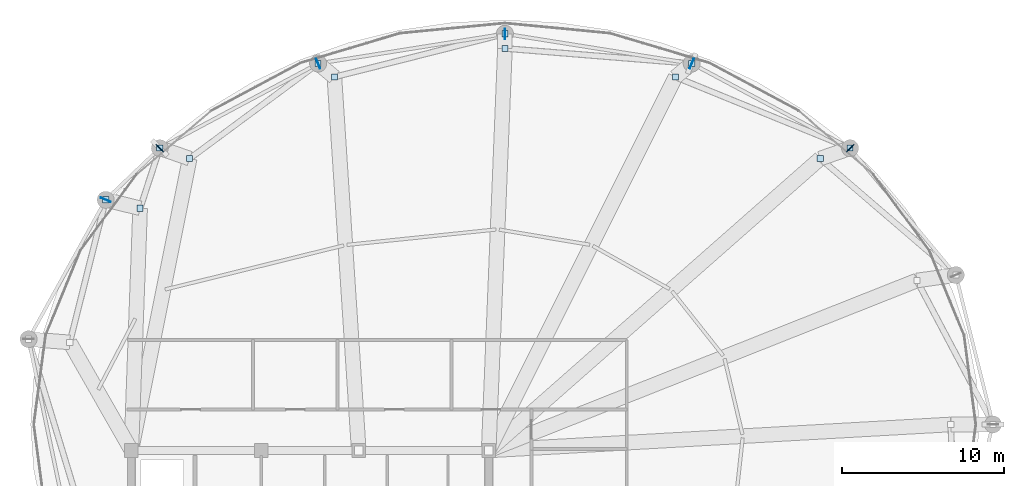
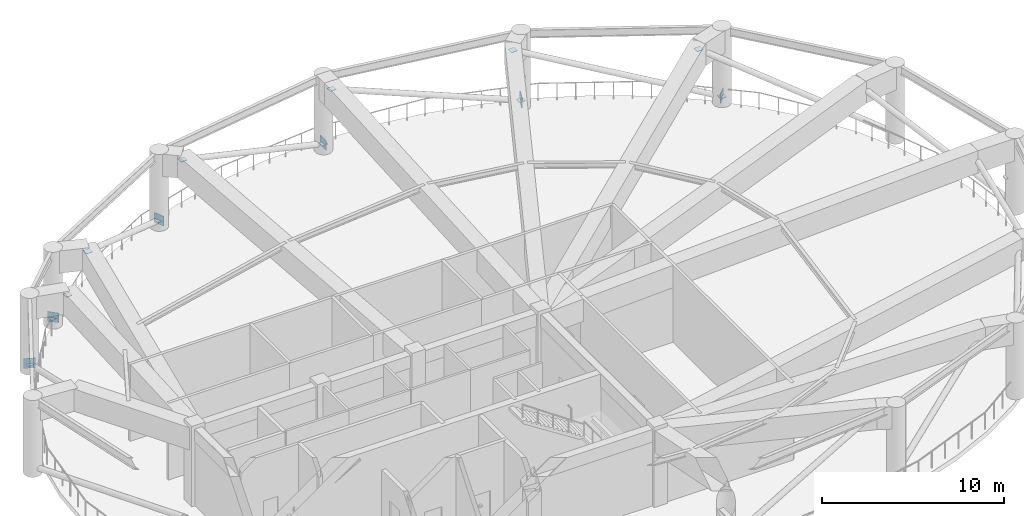
# One storey, part 5 of 9: 18 plates.
"""IFC4 building model written with IfcOpenShell, lengths in metres."""

from ifc_helpers import new_model, si_unit, direction, frame, origin, origin_2d, place, context, subcontext, project, spatial, rectangle, extrude, material, layer, layer_set, type_object, element, save


model = new_model("IFC4")

# Units and contexts
model_context = context("Model", 3, precision=1e-05, world=origin(), true_north=direction((0.0, 1.0)))
body_context = subcontext(model_context, "Body", "Model", "MODEL_VIEW")
ifc_project = project(units=[si_unit("LENGTHUNIT", "METRE"), si_unit("AREAUNIT", "SQUARE_METRE"), si_unit("VOLUMEUNIT", "CUBIC_METRE"), si_unit("PLANEANGLEUNIT", "RADIAN"), si_unit("MASSUNIT", "GRAM", prefix="KILO")], contexts=[model_context])

# Site, building, storey
site_placement = place(None, origin())
site = spatial("IfcSite", under=ifc_project, at=site_placement, CompositionType="ELEMENT")
building_placement = place(site_placement, origin())
building = spatial("IfcBuilding", under=site, at=building_placement, Name="Kazevale Care Tower and Concert Hall", CompositionType="ELEMENT")
storey_placement = place(building_placement, frame((0.0, 0.0, 253.199951171875)))
storey = spatial("IfcBuildingStorey", under=building, at=storey_placement, Name="L67", CompositionType="ELEMENT", Elevation=253.199951171875)

# Plates
ifc_material = material(Name="Steel ASTM A572 Gr 50", Category="steel")
ifc_layer_1 = layer(ifc_material, 0.02490234375)
ifc_layer_set_1 = layer_set([ifc_layer_1], Name="Steel ASTM A572 Gr 50")
plate_type_1 = type_object("IfcPlateType", Name="Hollow Section End Cap Plate 25mm", PredefinedType="USERDEFINED", material=ifc_layer_set_1)
for number, where, z_axis, x_axis, name in (
    (1, (64.409912109375, 54.3701171875, 4.59765625), (0.0, 0.0, 1.0), (1.0, 0.0, 0.0), "brace:L67:belt:02:cap1"),
    (2, (66.25, 55.010009765625, 0.3876953125), (0.0, 0.0, 1.0), (1.0, 0.0, 0.0), "brace:L67:belt:03:cap0"),
    (3, (55.5, 59.389892578125, 4.59765625), (0.0, 0.0, 1.0), (1.0, 0.0, 0.0), "brace:L67:belt:03:cap1"),
    (4, (56.5, 60.219970703125, 0.3876953125), (0.0, 0.0, 1.0), (1.0, 0.0, 0.0), "brace:L67:belt:04:cap0"),
    (5, (45.0, 61.14990234375, 4.59765625), (0.0, 0.0, 1.0), (1.0, 0.0, 0.0), "brace:L67:belt:04:cap1"),
    (6, (45.0, 62.050048828125, 0.3876953125), (0.0, 0.0, 1.0), (1.0, 0.0, 0.0), "brace:L67:belt:05:cap0"),
    (7, (34.5, 59.389892578125, 4.59765625), (0.0, 0.0, 1.0), (1.0, 0.0, 0.0), "brace:L67:belt:05:cap1"),
    (8, (33.5, 60.219970703125, 0.3876953125), (0.0, 0.0, 1.0), (1.0, 0.0, 0.0), "brace:L67:belt:06:cap0"),
    (9, (25.590087890625, 54.3701171875, 4.59765625), (0.0, 0.0, 1.0), (1.0, 0.0, 0.0), "brace:L67:belt:06:cap1"),
    (10, (23.75, 55.010009765625, 0.3876953125), (0.0, 0.0, 1.0), (1.0, 0.0, 0.0), "brace:L67:belt:07:cap0"),
    (11, (22.5400390625, 51.31005859375, 4.59765625), (0.0, 0.0, 1.0), (1.0, 0.0, 0.0), "brace:L67:belt:07:cap1"),
    (12, (20.419921875, 51.830078125, 0.3876953125), (0.0, 0.0, 1.0), (1.0, 0.0, 0.0), "brace:L67:belt:08:cap0"),
):
    element("IfcPlate", number, at=place(storey_placement, frame(where, z_axis=z_axis, x_axis=x_axis)), inside=storey, type_object=plate_type_1, Name=name, ObjectType="END_CAP_PLATE", PredefinedType="USERDEFINED", context=body_context, shape_type="SweptSolid", body=[
        extrude(rectangle(XDim=0.3798828125, YDim=0.3798828125, at=origin_2d()), origin(), (0.0, 0.0, 1.0), 0.02490234375),
    ])
ifc_layer_2 = layer(ifc_material, 0.0400390625)
ifc_layer_set_2 = layer_set([ifc_layer_2], Name="Steel ASTM A572 Gr 50")
plate_type_2 = type_object("IfcPlateType", Name="Outrigger & Truss Gusset Plate 40mm", PredefinedType="USERDEFINED", material=ifc_layer_set_2)
for number, where, z_axis, x_axis, name in (
    (13, (66.25, 55.010009765625, 0.125), (0.0, 0.0, 1.0), (0.707106781187, 0.707106781187, 0.0), "plate:L67:gusset:03"),
    (14, (56.5, 60.219970703125, 0.125), (0.0, 0.0, 1.0), (0.382683432365, 0.923879532511, 0.0), "plate:L67:gusset:04"),
    (15, (45.0, 62.050048828125, 0.125), (0.0, 0.0, 1.0), (0.0, 1.0, 0.0), "plate:L67:gusset:05"),
    (16, (33.5, 60.219970703125, 0.125), (0.0, 0.0, 1.0), (-0.382683432365, 0.923879532511, 0.0), "plate:L67:gusset:06"),
    (17, (23.75, 55.010009765625, 0.125), (0.0, 0.0, 1.0), (-0.707106781187, 0.707106781187, 0.0), "plate:L67:gusset:07"),
    (18, (20.419921875, 51.830078125, 0.125), (0.0, 0.0, 1.0), (-0.923879532511, 0.382683432365, 0.0), "plate:L67:gusset:08"),
):
    element("IfcPlate", number, at=place(storey_placement, frame(where, z_axis=z_axis, x_axis=x_axis)), inside=storey, type_object=plate_type_2, Name=name, ObjectType="GUSSET_PLATE", PredefinedType="USERDEFINED", context=body_context, shape_type="SweptSolid", body=[
        extrude(rectangle(XDim=0.64990234375, YDim=0.0400390625, at=origin_2d()), origin(), (0.0, 0.0, 1.0), 0.64990234375),
    ])

save(model, "model.ifc")
